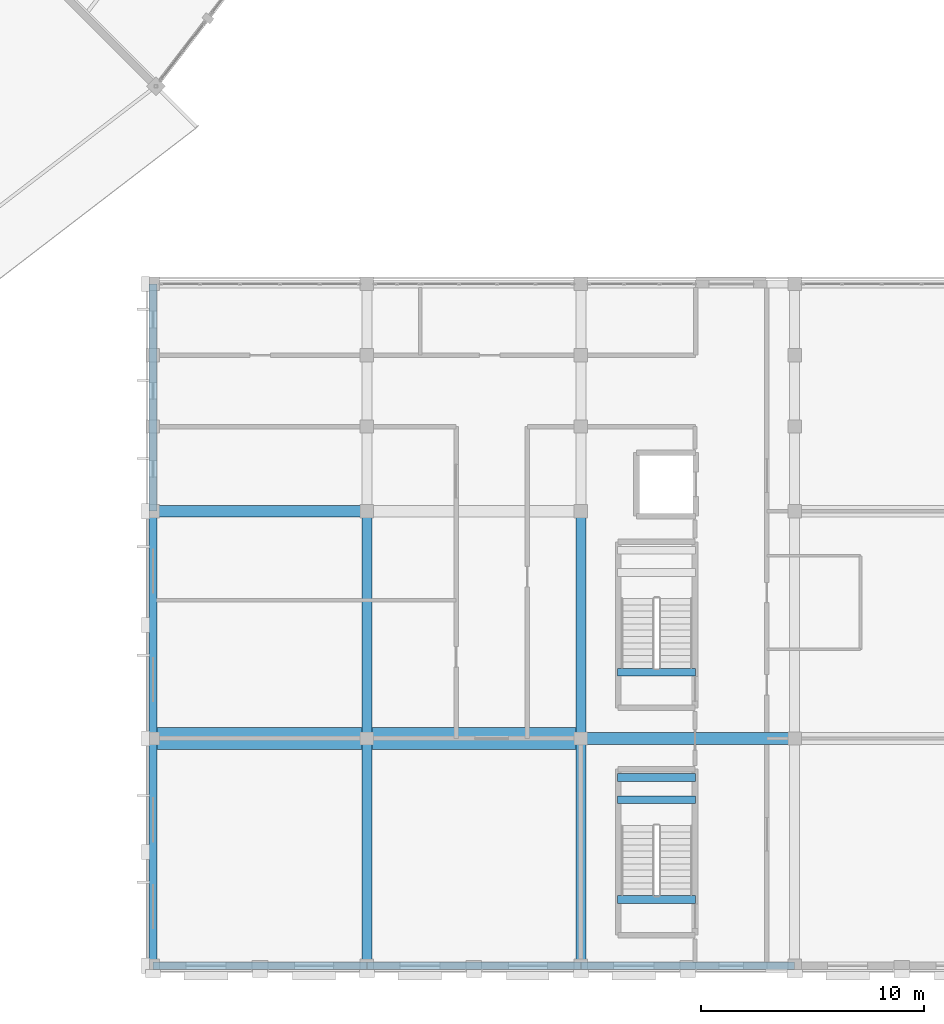
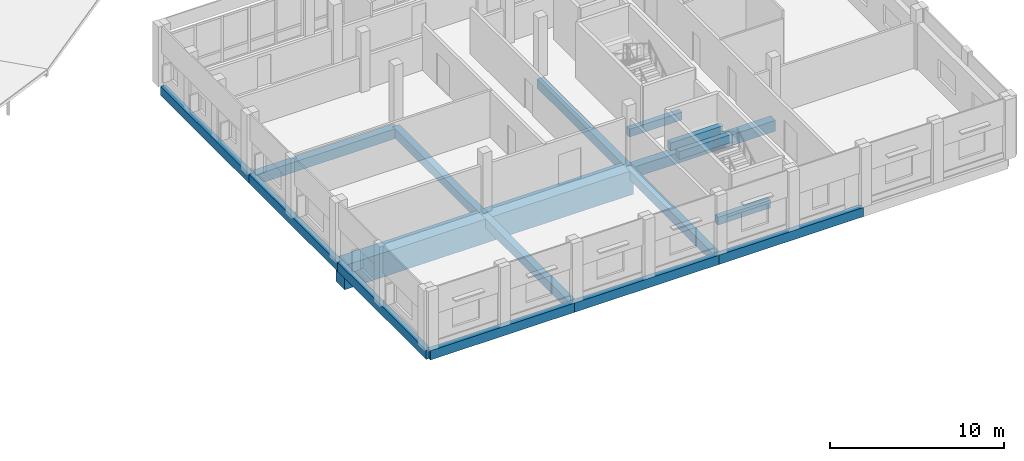
# One storey, part 97 of 185: 17 beams.
"""IFC4 building model written with IfcOpenShell, lengths in metres."""

from ifc_helpers import new_model, si_unit, direction, frame, origin, origin_2d, place, context, subcontext, project, spatial, rectangle, extrude, material, material_profile, profile_set, type_object, element, save


model = new_model("IFC4")

# Units and contexts
model_context = context("Model", 3, precision=1e-05, world=origin(), true_north=direction((0.0, 1.0)))
body_context = subcontext(model_context, "Body", "Model", "MODEL_VIEW")
ifc_project = project(units=[si_unit("LENGTHUNIT", "METRE"), si_unit("AREAUNIT", "SQUARE_METRE"), si_unit("VOLUMEUNIT", "CUBIC_METRE"), si_unit("PLANEANGLEUNIT", "RADIAN"), si_unit("MASSUNIT", "GRAM", prefix="KILO")], contexts=[model_context])

# Site, building, storey
site_placement = place(None, origin())
site = spatial("IfcSite", under=ifc_project, at=site_placement, CompositionType="ELEMENT")
building_placement = place(site_placement, origin())
building = spatial("IfcBuilding", under=site, at=building_placement, Name="Vondelvale Polytechnic", CompositionType="ELEMENT")
storey_placement = place(building_placement, frame((0.0, 0.0, 9.60009765625)))
storey = spatial("IfcBuildingStorey", under=building, at=storey_placement, Name="L02", CompositionType="ELEMENT", Elevation=9.60009765625)

# Beams
ifc_material_1 = material(Name="Concrete N40 (f'c = 40 MPa)", Category="concrete")
ifc_material_profile_1 = material_profile(ifc_material_1, rectangle(XDim=0.35009765625, YDim=0.550048828125, at=origin_2d()), Name="RC-BM-350x550")
ifc_profile_set_1 = profile_set([ifc_material_profile_1], Name="Concrete N40 (f'c = 40 MPa)")
beam_type_1 = type_object("IfcBeamType", Name="BM-RC350x550", PredefinedType="BEAM", material=ifc_profile_set_1)
for number, where, z_axis, x_axis, name in (
    (1, (158.75, 7.449951171875, 1.625), (-1.0, 0.0, 0.0), (0.0, -1.0, 0.0), "L02 STLD B-06"),
    (2, (158.75, 8.449951171875, 1.625), (-1.0, 0.0, 0.0), (0.0, -1.0, 0.0), "L02 STLD B-06"),
    (3, (158.75, 2.97509765625, -0.275146484375), (-1.0, 0.0, 0.0), (0.0, -1.0, 0.0), "L02 STHD B-06"),
    (4, (158.75, 13.175048828125, -0.275146484375), (-1.0, 0.0, 0.0), (0.0, -1.0, 0.0), "L02 STHD B-06"),
):
    element("IfcBeam", number, at=place(storey_placement, frame(where, z_axis=z_axis, x_axis=x_axis)), inside=storey, type_object=beam_type_1, Name=name, PredefinedType="BEAM", context=body_context, shape_type="SweptSolid", body=[
        extrude(rectangle(XDim=0.35009765625, YDim=0.550048828125, at=origin_2d()), origin(), (0.0, 0.0, 1.0), 3.5),
    ])
ifc_material_profile_2 = material_profile(ifc_material_1, rectangle(XDim=0.449951171875, YDim=0.64990234375, at=origin_2d()), Name="RC-BM-450x650")
ifc_profile_set_2 = profile_set([ifc_material_profile_2], Name="Concrete N40 (f'c = 40 MPa)")
beam_type_2 = type_object("IfcBeamType", Name="BM-RC450x650", PredefinedType="BEAM", material=ifc_profile_set_2)
for number, where, z_axis, x_axis, name in (
    (5, (144.0, 0.0, -0.60498046875), (0.0, 1.0, 0.0), (-1.0, 0.0, 0.0), "L02 B B-04"),
    (6, (144.0, 10.199951171875, -0.60498046875), (0.0, 1.0, 0.0), (-1.0, 0.0, 0.0), "L02 B B-04"),
    (7, (153.60009765625, 0.0, -0.60498046875), (0.0, 1.0, 0.0), (-1.0, 0.0, 0.0), "L02 B B-04"),
    (8, (153.60009765625, 10.199951171875, -0.60498046875), (0.0, 1.0, 0.0), (-1.0, 0.0, 0.0), "L02 B B-04"),
):
    element("IfcBeam", number, at=place(storey_placement, frame(where, z_axis=z_axis, x_axis=x_axis)), inside=storey, type_object=beam_type_2, Name=name, PredefinedType="BEAM", context=body_context, shape_type="SweptSolid", body=[
        extrude(rectangle(XDim=0.449951171875, YDim=0.64990234375, at=origin_2d()), origin(), (0.0, 0.0, 1.0), 10.199951171875),
    ])
ifc_material_profile_3 = material_profile(ifc_material_1, rectangle(XDim=0.5, YDim=0.699951171875, at=origin_2d()), Name="RC-BM-500x700")
ifc_profile_set_3 = profile_set([ifc_material_profile_3], Name="Concrete N40 (f'c = 40 MPa)")
beam_type_3 = type_object("IfcBeamType", Name="BM-RC500x700", PredefinedType="BEAM", material=ifc_profile_set_3)
beam_1_placement = place(storey_placement, frame((134.39990234375, 20.39990234375, -0.630126953125), z_axis=(1.0, 0.0, 0.0), x_axis=(0.0, 1.0, 0.0)))
element("IfcBeam", 9, at=beam_1_placement, inside=storey, type_object=beam_type_3, Name="L02 B B-03", PredefinedType="BEAM", context=body_context, shape_type="SweptSolid", body=[
    extrude(rectangle(XDim=0.5, YDim=0.699951171875, at=origin_2d()), origin(), (0.0, 0.0, 1.0), 9.60009765625),
])
ifc_material_profile_4 = material_profile(ifc_material_1, rectangle(XDim=0.550048828125, YDim=0.75, at=origin_2d()), Name="RC-BM-550x750")
ifc_profile_set_4 = profile_set([ifc_material_profile_4], Name="Concrete N40 (f'c = 40 MPa)")
beam_type_4 = type_object("IfcBeamType", Name="BM-RC550x750", PredefinedType="BEAM", material=ifc_profile_set_4)
beam_2_placement = place(storey_placement, frame((153.60009765625, 10.199951171875, -0.655029296875), z_axis=(1.0, 0.0, 0.0), x_axis=(0.0, 1.0, 0.0)))
element("IfcBeam", 10, at=beam_2_placement, inside=storey, type_object=beam_type_4, Name="L02 B B-02", PredefinedType="BEAM", context=body_context, shape_type="SweptSolid", body=[
    extrude(rectangle(XDim=0.550048828125, YDim=0.75, at=origin_2d()), origin(), (0.0, 0.0, 1.0), 9.599853515625),
])
ifc_material_2 = material(Name="Concrete N50 (f'c = 50 MPa)", Category="concrete")
ifc_material_profile_5 = material_profile(ifc_material_2, rectangle(XDim=1.0, YDim=1.699951171875, at=origin_2d()), Name="RC-TG-1000x1700")
ifc_profile_set_5 = profile_set([ifc_material_profile_5], Name="Concrete N50 (f'c = 50 MPa)")
beam_type_5 = type_object("IfcBeamType", Name="BM-TG1700", PredefinedType="BEAM", material=ifc_profile_set_5)
beam_3_placement = place(storey_placement, frame((134.39990234375, 10.199951171875, -1.130126953125), z_axis=(1.0, 0.0, 0.0), x_axis=(0.0, 1.0, 0.0)))
element("IfcBeam", 11, at=beam_3_placement, inside=storey, type_object=beam_type_5, Name="L02 reinforced concrete transfer girder TG-01", PredefinedType="BEAM", context=body_context, shape_type="SweptSolid", body=[
    extrude(rectangle(XDim=1.0, YDim=1.699951171875, at=origin_2d()), origin(), (0.0, 0.0, 1.0), 19.2001953125),
])
ifc_material_3 = material(Name="Precast concrete N40 (f'c = 40 MPa)", Category="concrete")
ifc_material_profile_6 = material_profile(ifc_material_3, rectangle(XDim=0.35009765625, YDim=0.64990234375, at=origin_2d()), Name="RC-SPN-350x650")
ifc_profile_set_6 = profile_set([ifc_material_profile_6], Name="Precast concrete N40 (f'c = 40 MPa)")
beam_type_6 = type_object("IfcBeamType", Name="SPN-PRE350x650", PredefinedType="SPANDREL", material=ifc_profile_set_6)
for number, where, z_axis, x_axis, name in (
    (12, (134.39990234375, 0.0, -0.60498046875), (1.0, 0.0, 0.0), (0.0, 1.0, 0.0), "L02 B SP-02"),
    (13, (144.0, 0.0, -0.60498046875), (1.0, 0.0, 0.0), (0.0, 1.0, 0.0), "L02 B SP-02"),
):
    element("IfcBeam", number, at=place(storey_placement, frame(where, z_axis=z_axis, x_axis=x_axis)), inside=storey, type_object=beam_type_6, Name=name, PredefinedType="SPANDREL", context=body_context, shape_type="SweptSolid", body=[
        extrude(rectangle(XDim=0.35009765625, YDim=0.64990234375, at=origin_2d()), origin(), (0.0, 0.0, 1.0), 9.60009765625),
    ])
beam_4_placement = place(storey_placement, frame((153.60009765625, 0.0, -0.60498046875), z_axis=(1.0, 0.0, 0.0), x_axis=(0.0, 1.0, 0.0)))
element("IfcBeam", 14, at=beam_4_placement, inside=storey, type_object=beam_type_6, Name="L02 B SP-02", PredefinedType="SPANDREL", context=body_context, shape_type="SweptSolid", body=[
    extrude(rectangle(XDim=0.35009765625, YDim=0.64990234375, at=origin_2d()), origin(), (0.0, 0.0, 1.0), 9.599853515625),
])
for number, where, z_axis, x_axis, name in (
    (15, (134.39990234375, 0.0, -0.60498046875), (0.0, 1.0, 0.0), (-1.0, 0.0, 0.0), "L02 B SP-02"),
    (16, (134.39990234375, 10.199951171875, -0.60498046875), (0.0, 1.0, 0.0), (-1.0, 0.0, 0.0), "L02 B SP-02"),
):
    element("IfcBeam", number, at=place(storey_placement, frame(where, z_axis=z_axis, x_axis=x_axis)), inside=storey, type_object=beam_type_6, Name=name, PredefinedType="SPANDREL", context=body_context, shape_type="SweptSolid", body=[
        extrude(rectangle(XDim=0.35009765625, YDim=0.64990234375, at=origin_2d()), origin(), (0.0, 0.0, 1.0), 10.199951171875),
    ])
beam_5_placement = place(storey_placement, frame((134.39990234375, 20.39990234375, -0.60498046875), z_axis=(0.0, 1.0, 0.0), x_axis=(-1.0, 0.0, 0.0)))
element("IfcBeam", 17, at=beam_5_placement, inside=storey, type_object=beam_type_6, Name="L02 B SP-02", PredefinedType="SPANDREL", context=body_context, shape_type="SweptSolid", body=[
    extrude(rectangle(XDim=0.35009765625, YDim=0.64990234375, at=origin_2d()), origin(), (0.0, 0.0, 1.0), 10.2001953125),
])

save(model, "model.ifc")
